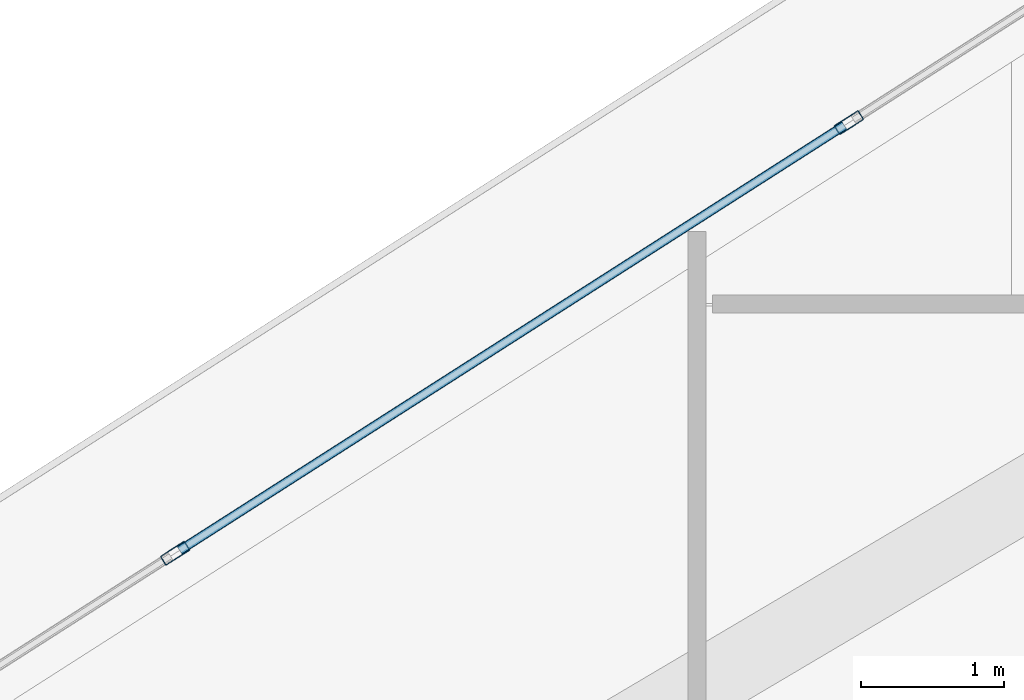
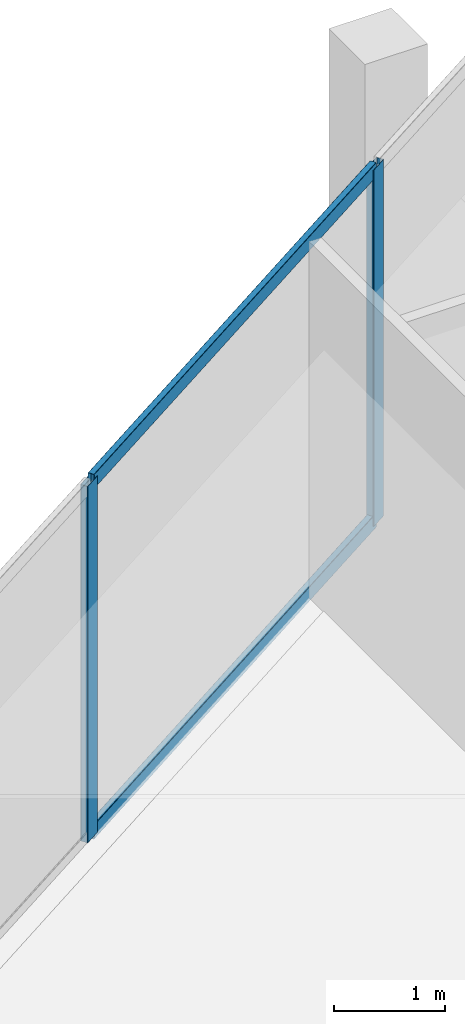
# One storey, part 15 of 34: 4 members, 1 element without a shape of its own.
"""IFC4 building model written with IfcOpenShell, lengths in metres."""

import ifcopenshell
import ifcopenshell.guid

model = None  # the IFC model being written
_history = None  # IfcOwnerHistory: only IFC2X3 demands one
_inside = {}  # id of a spatial element -> (the spatial element, [elements in it])
_under = {}  # id of a project, library or spatial element -> (it, [spatial elements below it])
_declared = {}  # id of a project -> (the project, [libraries it declares])
_typed = {}  # id of a type object -> (the type object, [elements of that type])
_made_of = {}  # id of a material, layer set ... -> (it, [elements and type objects made of it])


def new_model(schema):
    """Start an empty IFC model of exactly this schema.

    Asked for "IFC4X3", IfcOpenShell would pick the latest addendum, in which some entities
    have other attributes; the version numbers below select the first issue.
    IFC2X3 requires an IfcOwnerHistory on every rooted entity: one is made here for all.
    """
    global model, _history
    if schema == "IFC4X3":
        model = ifcopenshell.file(schema_version=(4, 3, 0, 0))
    else:
        model = ifcopenshell.file(schema=schema)
    _inside.clear()
    _under.clear()
    _declared.clear()
    _typed.clear()
    _made_of.clear()
    _history = None
    if model.schema == "IFC2X3":
        org = make("IfcOrganization", Name="unknown")
        user = make(
            "IfcPersonAndOrganization",
            ThePerson=make("IfcPerson", FamilyName="unknown"),
            TheOrganization=org,
        )
        app = make(
            "IfcApplication",
            ApplicationDeveloper=org,
            Version="unknown",
            ApplicationFullName="unknown",
            ApplicationIdentifier="unknown",
        )
        _history = make(
            "IfcOwnerHistory",
            OwningUser=user,
            OwningApplication=app,
            ChangeAction="ADDED",
            CreationDate=0,
        )
    return model


def make(cls, **values):
    """One entity of the class cls with the attributes given. An attribute that is None is left unset."""
    return model.create_entity(
        cls, **{name: value for name, value in values.items() if value is not None}
    )


def rooted(cls, **values):
    """An entity with a GlobalId (a new one), such as an element, a storey or a relation."""
    return make(cls, GlobalId=ifcopenshell.guid.new(), OwnerHistory=_history, **values)


def si_unit(unit_type, name, prefix=None):
    """IfcSIUnit, for example si_unit("LENGTHUNIT", "METRE", prefix="MILLI")."""
    return make("IfcSIUnit", UnitType=unit_type, Prefix=prefix, Name=name)


def assignment(units):
    """IfcUnitAssignment: the units of a project."""
    return None if units is None else make("IfcUnitAssignment", Units=units)


def point(xyz):
    """IfcCartesianPoint."""
    return None if xyz is None else make("IfcCartesianPoint", Coordinates=xyz)


def direction(xyz):
    """IfcDirection."""
    return None if xyz is None else make("IfcDirection", DirectionRatios=xyz)


def frame(location, z_axis=None, x_axis=None):
    """IfcAxis2Placement3D, a coordinate frame: its origin and axes. An axis left out is left unset."""
    return make(
        "IfcAxis2Placement3D",
        Location=point(location),
        Axis=direction(z_axis),
        RefDirection=direction(x_axis),
    )


def frame_2d(location, x_axis=None):
    """IfcAxis2Placement2D, a coordinate frame in the plane: its origin and x axis."""
    return make(
        "IfcAxis2Placement2D", Location=point(location), RefDirection=direction(x_axis)
    )


def origin():
    """The frame at (0, 0, 0) with its axes left unset."""
    return frame((0.0, 0.0, 0.0))


def origin_2d():
    """The frame at (0, 0) in the plane with its x axis left unset."""
    return frame_2d((0.0, 0.0))


def place(relative_to, where):
    """IfcLocalPlacement: puts the frame where relative to a parent placement (None: the world)."""
    return make(
        "IfcLocalPlacement", PlacementRelTo=relative_to, RelativePlacement=where
    )


def context(
    kind, dimensions, precision=None, world=None, true_north=None, identifier=None
):
    """IfcGeometricRepresentationContext, for example the 3D "Model" context."""
    return make(
        "IfcGeometricRepresentationContext",
        ContextIdentifier=identifier,
        ContextType=kind,
        CoordinateSpaceDimension=dimensions,
        Precision=precision,
        WorldCoordinateSystem=world,
        TrueNorth=true_north,
    )


def subcontext(parent, identifier, kind, view, scale=None):
    """IfcGeometricRepresentationSubContext, for example "Body" below "Model"."""
    return make(
        "IfcGeometricRepresentationSubContext",
        ContextIdentifier=identifier,
        ContextType=kind,
        ParentContext=parent,
        TargetScale=scale,
        TargetView=view,
    )


def project(units=None, contexts=None):
    """IfcProject with its units and contexts."""
    return rooted(
        "IfcProject",
        Name="project",
        RepresentationContexts=contexts,
        UnitsInContext=assignment(units),
    )


def spatial(cls, under=None, at=None, **own):
    """A site, building, storey or space (cls), placed at a placement, below another one or the project."""
    s = rooted(cls, ObjectPlacement=at, **own)
    if under is not None:
        _under.setdefault(under.id(), (under, []))[1].append(s)
    return s


def profile(cls, at=None, kind="AREA", **sizes):
    """A parametric profile (cls). Its sizes go by their IFC names, for example OverallWidth=200.0."""
    return make(cls, ProfileType=kind, Position=at, **sizes)


def hollow_rectangle(**sizes):
    """IfcRectangleHollowProfileDef."""
    return profile("IfcRectangleHollowProfileDef", **sizes)


def extrude(swept, where, along, depth):
    """IfcExtrudedAreaSolid: the profile swept, set in the frame where, extruded along a direction by depth."""
    return make(
        "IfcExtrudedAreaSolid",
        SweptArea=swept,
        Position=where,
        ExtrudedDirection=direction(along),
        Depth=depth,
    )


def shape(context_of_items, identifier, shape_type, items):
    """IfcShapeRepresentation: the items that make up one representation, for example the "Body"."""
    return make(
        "IfcShapeRepresentation",
        ContextOfItems=context_of_items,
        RepresentationIdentifier=identifier,
        RepresentationType=shape_type,
        Items=items,
    )


def material(Name=None, Category=None):
    """IfcMaterial."""
    return make("IfcMaterial", Name=Name, Category=Category)


def layer(
    of_material, thickness, ventilated=None, Name=None, Category=None, Priority=None
):
    """IfcMaterialLayer: one layer of a wall or slab, of a material (None: an air gap)."""
    return make(
        "IfcMaterialLayer",
        Material=of_material,
        LayerThickness=thickness,
        IsVentilated=ventilated,
        Name=Name,
        Category=Category,
        Priority=Priority,
    )


def layer_set(layers, Name=None):
    """IfcMaterialLayerSet."""
    return make("IfcMaterialLayerSet", MaterialLayers=layers, LayerSetName=Name)


def material_profile(
    of_material, cross_section, Name=None, Category=None, Priority=None
):
    """IfcMaterialProfile: a cross section and its material."""
    return make(
        "IfcMaterialProfile",
        Name=Name,
        Material=of_material,
        Profile=cross_section,
        Priority=Priority,
        Category=Category,
    )


def profile_set(profiles, Name=None, composite=None):
    """IfcMaterialProfileSet."""
    return make(
        "IfcMaterialProfileSet",
        Name=Name,
        MaterialProfiles=profiles,
        CompositeProfile=composite,
    )


def made_of(thing, what):
    """Note that an element or type object is made of a material, layer set ...; save() writes the relation."""
    if what is not None:
        _made_of.setdefault(what.id(), (what, []))[1].append(thing)
    return thing


def type_object(cls, material=None, **own):
    """A type object (cls), such as IfcWallType, which elements share."""
    return made_of(rooted(cls, **own), material)


def element(
    cls,
    number,
    at=None,
    inside=None,
    cuts=None,
    type_object=None,
    material=None,
    context=None,
    identifier="Body",
    shape_type=None,
    held_by="IfcProductDefinitionShape",
    body=None,
    shapes=None,
    **own,
):
    """One element of the class cls, such as IfcWall. Its Tag is "e" and its number.

    at: its placement. inside: the storey or other place that contains it. cuts: it is an
    opening in that element (IfcRelVoidsElement). A single representation is given by context,
    identifier, shape_type and body (its items); several are given by shapes. held_by: the class
    of the entity that holds the representations. save() writes the other relations.
    """
    e = rooted(cls, Tag="e%d" % number, ObjectPlacement=at, **own)
    if body is not None:
        shapes = [shape(context, identifier, shape_type, body)]
    if shapes is not None:
        e.Representation = make(held_by, Representations=shapes)
    if inside is not None:
        _inside.setdefault(inside.id(), (inside, []))[1].append(e)
    if cuts is not None:
        rooted(
            "IfcRelVoidsElement", RelatingBuildingElement=cuts, RelatedOpeningElement=e
        )
    if type_object is not None:
        _typed.setdefault(type_object.id(), (type_object, []))[1].append(e)
    return made_of(e, material)


def aggregate(whole, parts):
    """IfcRelAggregates: a whole, such as a stair, and the parts it consists of."""
    return rooted("IfcRelAggregates", RelatingObject=whole, RelatedObjects=parts)


def save(model, path):
    """Write the relations noted so far, then the file.

    IfcRelAggregates (storeys below a building ...), IfcRelContainedInSpatialStructure (elements
    in a storey), IfcRelDefinesByType, IfcRelAssociatesMaterial and IfcRelDeclares: one each for
    every whole, place, type object, material and project.
    """
    for whole, parts in _under.values():
        aggregate(whole, parts)
    for where, things in _inside.values():
        rooted(
            "IfcRelContainedInSpatialStructure",
            RelatedElements=things,
            RelatingStructure=where,
        )
    for kind, things in _typed.values():
        rooted("IfcRelDefinesByType", RelatedObjects=things, RelatingType=kind)
    for what, things in _made_of.values():
        rooted("IfcRelAssociatesMaterial", RelatedObjects=things, RelatingMaterial=what)
    for by, libraries in _declared.values():
        rooted("IfcRelDeclares", RelatingContext=by, RelatedDefinitions=libraries)
    model.write(path)


model = new_model("IFC4")

# Units and contexts
model_context = context("Model", 3, precision=1e-05, world=origin(), true_north=direction((0.0, 1.0)))
body_context = subcontext(model_context, "Body", "Model", "MODEL_VIEW")
ifc_project = project(units=[si_unit("LENGTHUNIT", "METRE"), si_unit("AREAUNIT", "SQUARE_METRE"), si_unit("VOLUMEUNIT", "CUBIC_METRE"), si_unit("PLANEANGLEUNIT", "RADIAN"), si_unit("MASSUNIT", "GRAM", prefix="KILO")], contexts=[model_context])

# Site, building, storey
site_placement = place(None, origin())
site = spatial("IfcSite", under=ifc_project, at=site_placement, CompositionType="ELEMENT")
building_placement = place(site_placement, origin())
building = spatial("IfcBuilding", under=site, at=building_placement, Name="Qorvath Tower", CompositionType="ELEMENT")
storey_placement = place(building_placement, frame((0.0, 0.0, 268.199951171875)))
storey = spatial("IfcBuildingStorey", under=building, at=storey_placement, Name="L62", CompositionType="ELEMENT", Elevation=268.199951171875)

# Curtain wall, members
ifc_material_1 = material(Name="Anodised aluminium and triple low-E glass", Category="aluminium")
ifc_layer = layer(ifc_material_1, 0.179931640625)
ifc_layer_set = layer_set([ifc_layer], Name="CW-SYS-4")
curtain_wall_type = type_object("IfcCurtainWallType", Name="CW-SYS-4", PredefinedType="NOTDEFINED", material=ifc_layer_set)
curtain_wall_placement = place(storey_placement, origin())
curtain_wall = element("IfcCurtainWall", 1, at=curtain_wall_placement, inside=storey, type_object=curtain_wall_type, Name="Curtain Wall CW-4 CW-T-L62-16.1", PredefinedType="NOTDEFINED")
ifc_material_2 = material(Name="Anodised aluminium 6063-T6", Category="aluminium")
ifc_material_profile_1 = material_profile(ifc_material_2, hollow_rectangle(XDim=0.074951171875, YDim=0.199951171875, WallThickness=0.00390625, InnerFilletRadius=0.00390625, OuterFilletRadius=0.008056640625, at=origin_2d()), Name="CWM 200x75")
ifc_profile_set_1 = profile_set([ifc_material_profile_1], Name="Anodised aluminium 6063-T6")
member_type_1 = type_object("IfcMemberType", Name="CWM-200", PredefinedType="MULLION", material=ifc_profile_set_1)
member_1_placement = place(storey_placement, frame((-36.796630859375, 12.023681640625, 0.0), z_axis=(0.0, 0.0, 1.0), x_axis=(0.538533509281, -0.842604094093, 0.0)))
member_1 = element("IfcMember", 2, at=member_1_placement, type_object=member_type_1, Name="CW-4 mullion 5", PredefinedType="MULLION", context=body_context, shape_type="SweptSolid", body=[
    extrude(hollow_rectangle(XDim=0.074951171875, YDim=0.199951171875, WallThickness=0.00390625, InnerFilletRadius=0.00390625, OuterFilletRadius=0.008056640625, at=origin_2d()), origin(), (0.0, 0.0, 1.0), 3.91015625),
])
member_2_placement = place(storey_placement, frame((-41.5, 9.017822265625, 0.0), z_axis=(0.0, 0.0, 1.0), x_axis=(0.538533509281, -0.842604094093, 0.0)))
member_2 = element("IfcMember", 3, at=member_2_placement, type_object=member_type_1, Name="CW-4 mullion 6", PredefinedType="MULLION", context=body_context, shape_type="SweptSolid", body=[
    extrude(hollow_rectangle(XDim=0.074951171875, YDim=0.199951171875, WallThickness=0.00390625, InnerFilletRadius=0.00390625, OuterFilletRadius=0.008056640625, at=origin_2d()), origin(), (0.0, 0.0, 1.0), 3.91015625),
])
ifc_material_3 = material(Name="Anodised aluminium 6063-T6", Category="aluminium")
ifc_material_profile_2 = material_profile(ifc_material_3, hollow_rectangle(XDim=0.06494140625, YDim=0.159912109375, WallThickness=0.00341796875, InnerFilletRadius=0.00341796875, OuterFilletRadius=0.007080078125, at=origin_2d()), Name="CWT 160x65")
ifc_profile_set_2 = profile_set([ifc_material_profile_2], Name="Anodised aluminium 6063-T6")
member_type_2 = type_object("IfcMemberType", Name="CWT-160", PredefinedType="USERDEFINED", material=ifc_profile_set_2)
member_3_placement = place(storey_placement, frame((-36.828369140625, 12.00341796875, 0.032470703125), z_axis=(-0.842597346925, -0.538544065935, 0.0), x_axis=(0.538544065935, -0.842597346925, 0.0)))
member_3 = element("IfcMember", 4, at=member_3_placement, type_object=member_type_2, Name="CW-4 transom 5.1", ObjectType="TRANSOM", PredefinedType="USERDEFINED", context=body_context, shape_type="SweptSolid", body=[
    extrude(hollow_rectangle(XDim=0.06494140625, YDim=0.159912109375, WallThickness=0.00341796875, InnerFilletRadius=0.00341796875, OuterFilletRadius=0.007080078125, at=origin_2d()), origin(), (0.0, 0.0, 1.0), 5.506591796875),
])
member_4_placement = place(storey_placement, frame((-36.828369140625, 12.00341796875, 3.877685546875), z_axis=(-0.842597346925, -0.538544065935, 0.0), x_axis=(0.538544065935, -0.842597346925, 0.0)))
member_4 = element("IfcMember", 5, at=member_4_placement, type_object=member_type_2, Name="CW-4 transom 5.2", ObjectType="TRANSOM", PredefinedType="USERDEFINED", context=body_context, shape_type="SweptSolid", body=[
    extrude(hollow_rectangle(XDim=0.06494140625, YDim=0.159912109375, WallThickness=0.00341796875, InnerFilletRadius=0.00341796875, OuterFilletRadius=0.007080078125, at=origin_2d()), origin(), (0.0, 0.0, 1.0), 5.506591796875),
])
aggregate(curtain_wall, [member_1, member_2, member_3, member_4])

save(model, "model.ifc")
